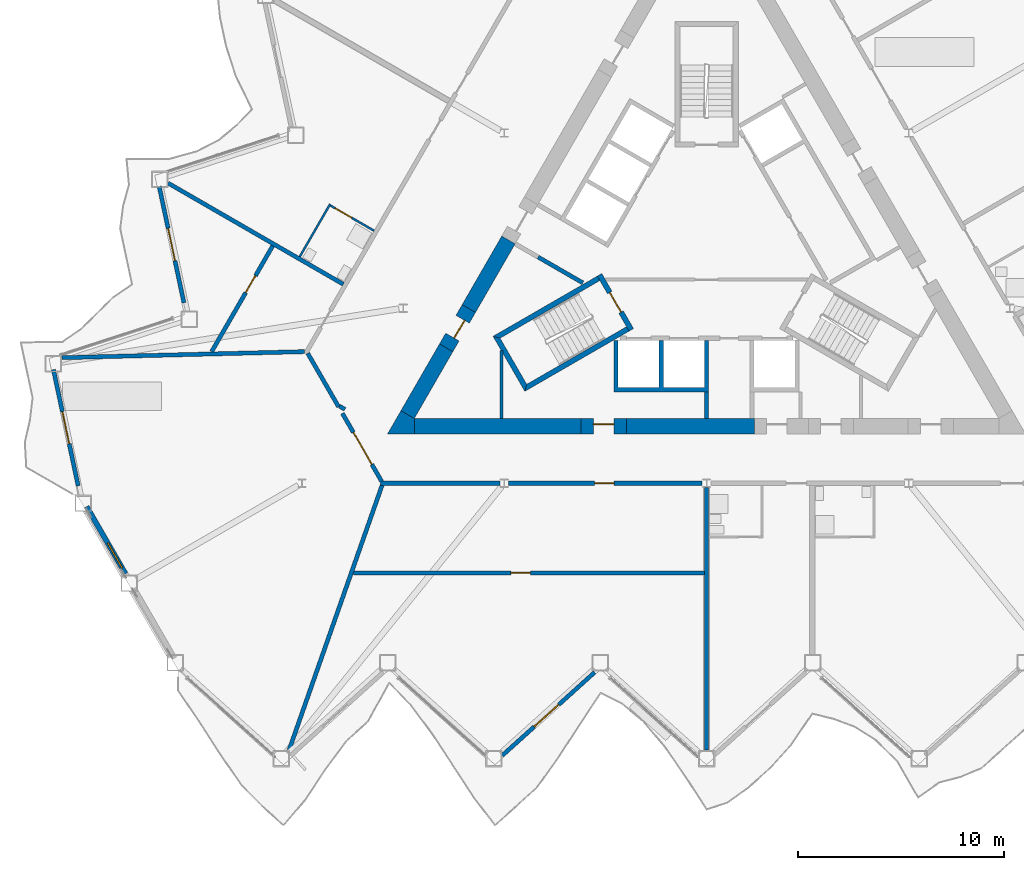
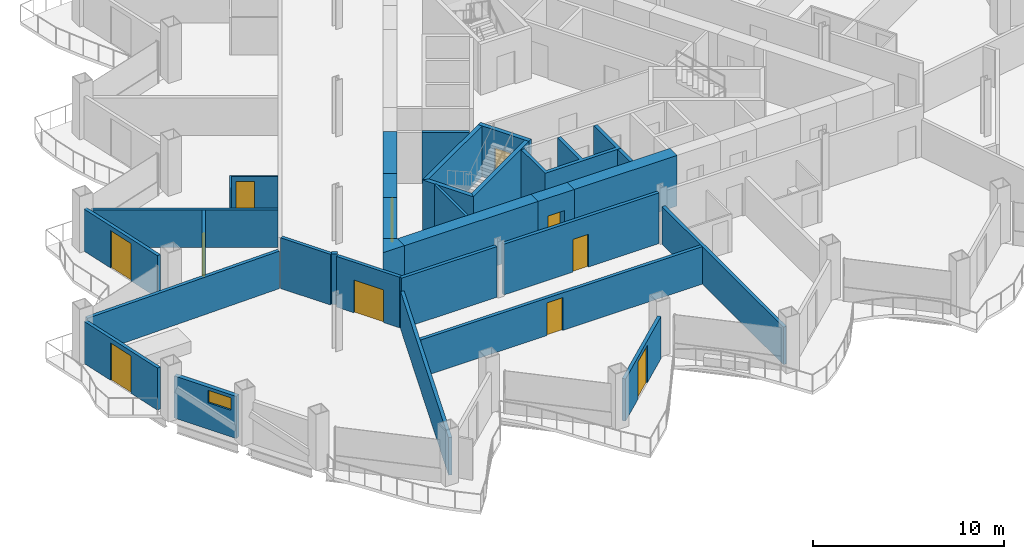
# One storey, part 10 of 22: 32 walls, 11 doors, 1 window, 12 openings.
"""IFC4 building model written with IfcOpenShell, lengths in metres."""

from ifc_helpers import new_model, si_unit, direction, frame, frame_2d, origin, place, context, subcontext, project, spatial, polyline, rectangle, outline, extrude, material, layer, layer_set, type_object, element, fill, save


model = new_model("IFC4")

# Units and contexts
model_context = context("Model", 3, precision=1e-05, world=origin(), true_north=direction((0.0, 1.0)))
body_context = subcontext(model_context, "Body", "Model", "MODEL_VIEW")
ifc_project = project(units=[si_unit("LENGTHUNIT", "METRE"), si_unit("AREAUNIT", "SQUARE_METRE"), si_unit("VOLUMEUNIT", "CUBIC_METRE"), si_unit("PLANEANGLEUNIT", "RADIAN"), si_unit("MASSUNIT", "GRAM", prefix="KILO")], contexts=[model_context])

# Site, building, storey
site_placement = place(None, origin())
site = spatial("IfcSite", under=ifc_project, at=site_placement, CompositionType="ELEMENT")
building_placement = place(site_placement, origin())
building = spatial("IfcBuilding", under=site, at=building_placement, Name="Cormorant Prow Tower", CompositionType="ELEMENT")
storey_placement = place(building_placement, frame((0.0, 0.0, 190.800048828125)))
storey = spatial("IfcBuildingStorey", under=building, at=storey_placement, Name="L41", CompositionType="ELEMENT", Elevation=190.800048828125)

# Walls
ifc_material_1 = material(Name="Gypsum board partition")
ifc_layer_1 = layer(ifc_material_1, 0.14990234375)
ifc_layer_set_1 = layer_set([ifc_layer_1], Name="Gypsum board partition")
wall_type_1 = type_object("IfcWallType", Name="Core partition 150", PredefinedType="PARTITIONING", material=ifc_layer_set_1)
wall_1_placement = place(storey_placement, frame((-9.970703125, -8.198974609375, 0.0), z_axis=(0.0, 0.0, 1.0), x_axis=(0.0, 1.0, 0.0)))
element("IfcWall", 1, at=wall_1_placement, inside=storey, type_object=wall_type_1, Name="Service room partition", PredefinedType="PARTITIONING", context=body_context, shape_type="SweptSolid", body=[
    extrude(rectangle(XDim=3.304931640625, YDim=0.14990234375, at=frame_2d((1.65234375, 0.0))), origin(), (0.0, 0.0, 1.0), 3.25),
])
ifc_material_2 = material(Name="Concrete 8000 psi", Category="concrete")
ifc_layer_2 = layer(ifc_material_2, 0.75)
ifc_layer_set_2 = layer_set([ifc_layer_2], Name="Concrete 8000 psi")
wall_type_2 = type_object("IfcWallType", Name="Core shear wall 750", PredefinedType="SHEAR", material=ifc_layer_set_2)
wall_2_placement = place(storey_placement, frame((-14.200927734375, -8.573974609375, 0.0), z_axis=(0.0, 0.0, 1.0), x_axis=(1.0, 0.0, 0.0)))
element("IfcWall", 2, at=wall_2_placement, inside=storey, type_object=wall_type_2, Name="Core wall", PredefinedType="SHEAR", context=body_context, shape_type="SweptSolid", body=[
    extrude(rectangle(XDim=8.10302734375, YDim=0.75, at=frame_2d((4.051513671875, 0.0))), origin(), (0.0, 0.0, 1.0), 3.25),
])
wall_3_placement = place(storey_placement, frame((-3.897705078125, -8.573974609375, 0.0), z_axis=(0.0, 0.0, 1.0), x_axis=(1.0, 0.0, 0.0)))
element("IfcWall", 3, at=wall_3_placement, inside=storey, type_object=wall_type_2, Name="Core wall", PredefinedType="SHEAR", context=body_context, shape_type="SweptSolid", body=[
    extrude(rectangle(XDim=6.2177734375, YDim=0.75, at=frame_2d((3.10888671875, 0.0))), origin(), (0.0, 0.0, 1.0), 3.25),
])
wall_4_placement = place(storey_placement, frame((-9.625244140625, 0.4765625, 0.0), z_axis=(0.0, 0.0, 1.0), x_axis=(-0.499951145694, -0.866053607994, 0.0)))
element("IfcWall", 4, at=wall_4_placement, inside=storey, type_object=wall_type_2, Name="Core wall", PredefinedType="SHEAR", context=body_context, shape_type="SweptSolid", body=[
    extrude(rectangle(XDim=3.8505859375, YDim=0.75, at=frame_2d((1.92529296875, 0.0))), origin(), (0.0, 0.0, 1.0), 3.25),
])
wall_5_placement = place(storey_placement, frame((-12.650390625, -4.763427734375, 0.0), z_axis=(0.0, 0.0, 1.0), x_axis=(-0.499996681051, -0.866027319972, 0.0)))
element("IfcWall", 5, at=wall_5_placement, inside=storey, type_object=wall_type_2, Name="Core wall", PredefinedType="SHEAR", context=body_context, shape_type="SweptSolid", body=[
    extrude(rectangle(XDim=3.75048828125, YDim=0.75, at=frame_2d((1.875244140625, 0.0))), origin(), (0.0, 0.0, 1.0), 3.25),
])
wall_6_placement = place(storey_placement, origin())
element("IfcWall", 6, at=wall_6_placement, inside=storey, type_object=wall_type_2, Name="Core wall corner", PredefinedType="SHEAR", context=body_context, shape_type="SweptSolid", body=[
    extrude(outline(polyline([(-14.8505859375, -7.823974609375), (-14.200927734375, -8.198974609375), (-14.200927734375, -8.948974609375), (-15.5, -8.948974609375), (-14.8505859375, -7.823974609375)])), origin(), (0.0, 0.0, 1.0), 3.25),
])

# Wall, opening, door
wall_7_placement = place(storey_placement, frame((-6.097900390625, -8.573974609375, 0.0), z_axis=(0.0, 0.0, 1.0), x_axis=(1.0, 0.0, 0.0)))
wall_7 = element("IfcWall", 7, at=wall_7_placement, inside=storey, type_object=wall_type_2, Name="Core wall door panel", PredefinedType="SHEAR", context=body_context, shape_type="SweptSolid", body=[
    extrude(rectangle(XDim=2.2001953125, YDim=0.75, at=frame_2d((1.10009765625, 0.0))), origin(), (0.0, 0.0, 1.0), 3.25),
])
opening_1_placement = place(wall_7_placement, frame((0.60009765625, 0.0, 0.0)))
opening_1 = element("IfcOpeningElement", 8, at=opening_1_placement, cuts=wall_7, Name="Opening L41-C14", PredefinedType="OPENING", context=body_context, shape_type="SweptSolid", body=[
    extrude(rectangle(XDim=1.0, YDim=2.10009765625, at=frame_2d((0.5, 1.050048828125))), frame((0.0, 0.385009765625, 0.0), z_axis=(0.0, -1.0, 0.0), x_axis=(1.0, 0.0, 0.0)), (0.0, 0.0, 1.0), 0.77001953125),
])
ifc_material_3 = material(Name="Painted steel", Category="steel")
door_type_1 = type_object("IfcDoorType", Name="Service door 1000x2100", OperationType="NOTDEFINED", PredefinedType="DOOR", material=ifc_material_3)
door_1_placement = place(opening_1_placement, origin())
door_1 = element("IfcDoor", 9, at=door_1_placement, inside=storey, type_object=door_type_1, Name="Core door, Pantry store", OperationType="SINGLE_SWING_LEFT", OverallHeight=2.10009765625, OverallWidth=1.0, PredefinedType="DOOR", context=body_context, shape_type="SweptSolid", body=[
    extrude(rectangle(XDim=1.0, YDim=2.10009765625, at=frame_2d((0.5, 1.050048828125))), frame((0.0, 0.1298828125, 0.0), z_axis=(0.0, -1.0, 0.0), x_axis=(1.0, 0.0, 0.0)), (0.0, 0.0, 1.0), 0.050048828125),
])
fill(opening_1, door_1)

wall_8_placement = place(storey_placement, frame((-11.550537109375, -2.858154296875, 0.0), z_axis=(0.0, 0.0, 1.0), x_axis=(-0.499946605688, -0.86605622881, 0.0)))
wall_8 = element("IfcWall", 10, at=wall_8_placement, inside=storey, type_object=wall_type_2, Name="Core wall door panel", PredefinedType="SHEAR", context=body_context, shape_type="SweptSolid", body=[
    extrude(rectangle(XDim=2.199951171875, YDim=0.75, at=frame_2d((1.10009765625, 0.0))), origin(), (0.0, 0.0, 1.0), 3.25),
])
opening_2_placement = place(wall_8_placement, frame((0.60009765625, 0.0, 0.0)))
opening_2 = element("IfcOpeningElement", 11, at=opening_2_placement, cuts=wall_8, Name="Opening L41-C17", PredefinedType="OPENING", context=body_context, shape_type="SweptSolid", body=[
    extrude(rectangle(XDim=1.0, YDim=2.10009765625, at=frame_2d((0.5, 1.050048828125))), frame((0.0, 0.385009765625, 0.0), z_axis=(0.0, -1.0, 0.0), x_axis=(1.0, 0.0, 0.0)), (0.0, 0.0, 1.0), 0.77001953125),
])
door_2_placement = place(opening_2_placement, origin())
door_2 = element("IfcDoor", 12, at=door_2_placement, inside=storey, type_object=door_type_1, Name="Core door, Telecom room", OperationType="SINGLE_SWING_LEFT", OverallHeight=2.10009765625, OverallWidth=1.0, PredefinedType="DOOR", context=body_context, shape_type="SweptSolid", body=[
    extrude(rectangle(XDim=1.0, YDim=2.10009765625, at=frame_2d((0.5, 1.050048828125))), frame((0.0, 0.1298828125, 0.0), z_axis=(0.0, -1.0, 0.0), x_axis=(1.0, 0.0, 0.0)), (0.0, 0.0, 1.0), 0.050048828125),
])
fill(opening_2, door_2)

ifc_material_4 = material(Name="Gypsum board corridor wall")
ifc_layer_3 = layer(ifc_material_4, 0.199951171875)
ifc_layer_set_3 = layer_set([ifc_layer_3], Name="Gypsum board corridor wall")
wall_type_3 = type_object("IfcWallType", Name="Corridor wall 200", PredefinedType="PARTITIONING", material=ifc_layer_set_3)
wall_9_placement = place(storey_placement, frame((-9.61474609375, -11.348876953125, 0.0), z_axis=(0.0, 0.0, 1.0), x_axis=(1.0, 0.0, 0.0)))
wall_9 = element("IfcWall", 13, at=wall_9_placement, inside=storey, type_object=wall_type_3, Name="Corridor wall", PredefinedType="PARTITIONING", context=body_context, shape_type="SweptSolid", body=[
    extrude(rectangle(XDim=9.401123046875, YDim=0.199951171875, at=frame_2d((4.70068359375, 0.0))), origin(), (0.0, 0.0, 1.0), 3.25),
])
opening_3_placement = place(wall_9_placement, frame((4.17529296875, 0.0, 0.0)))
opening_3 = element("IfcOpeningElement", 14, at=opening_3_placement, cuts=wall_9, Name="Opening L41-F01", PredefinedType="OPENING", context=body_context, shape_type="SweptSolid", body=[
    extrude(rectangle(XDim=0.949951171875, YDim=2.10009765625, at=frame_2d((0.47509765625, 1.050048828125))), frame((0.0, 0.10986328125, 0.0), z_axis=(0.0, -1.0, 0.0), x_axis=(1.0, 0.0, 0.0)), (0.0, 0.0, 1.0), 0.219970703125),
])
ifc_material_5 = material(Name="Timber door leaf", Category="wood")
door_type_2 = type_object("IfcDoorType", Name="Store door 950x2100", OperationType="NOTDEFINED", PredefinedType="DOOR", material=ifc_material_5)
door_3_placement = place(opening_3_placement, origin())
door_3 = element("IfcDoor", 15, at=door_3_placement, inside=storey, type_object=door_type_2, Name="Housekeeping room door", OperationType="SINGLE_SWING_RIGHT", OverallHeight=2.10009765625, OverallWidth=0.949951171875, PredefinedType="DOOR", context=body_context, shape_type="SweptSolid", body=[
    extrude(rectangle(XDim=0.949951171875, YDim=2.10009765625, at=frame_2d((0.47509765625, 1.050048828125))), frame((0.0, 0.02490234375, 0.0), z_axis=(0.0, -1.0, 0.0), x_axis=(1.0, 0.0, 0.0)), (0.0, 0.0, 1.0), 0.050048828125),
])
fill(opening_3, door_3)

# Wall
wall_10_placement = place(storey_placement, frame((-15.830810546875, -11.348876953125, 0.0), z_axis=(0.0, 0.0, 1.0), x_axis=(1.0, 0.0, 0.0)))
element("IfcWall", 16, at=wall_10_placement, inside=storey, type_object=wall_type_3, Name="Corridor wall", PredefinedType="PARTITIONING", context=body_context, shape_type="SweptSolid", body=[
    extrude(rectangle(XDim=5.78857421875, YDim=0.199951171875, at=frame_2d((2.894287109375, 0.0))), origin(), (0.0, 0.0, 1.0), 3.25),
])

# Wall, opening, door
wall_11_placement = place(storey_placement, frame((-17.69384765625, -7.948974609375, 0.0), z_axis=(0.0, 0.0, 1.0), x_axis=(0.499989446428, -0.866031496806, 0.0)))
wall_11 = element("IfcWall", 17, at=wall_11_placement, inside=storey, type_object=wall_type_3, Name="Corridor wall", PredefinedType="PARTITIONING", context=body_context, shape_type="SweptSolid", body=[
    extrude(rectangle(XDim=3.82568359375, YDim=0.199951171875, at=frame_2d((1.912841796875, 0.0))), origin(), (0.0, 0.0, 1.0), 3.25),
])
opening_4_placement = place(wall_11_placement, frame((1.06396484375, 0.0, 0.0)))
opening_4 = element("IfcOpeningElement", 18, at=opening_4_placement, cuts=wall_11, Name="Opening L41-F28", PredefinedType="OPENING", context=body_context, shape_type="SweptSolid", body=[
    extrude(rectangle(XDim=1.800048828125, YDim=2.10009765625, at=frame_2d((0.89990234375, 1.050048828125))), frame((0.0, 0.10986328125, 0.0), z_axis=(0.0, -1.0, 0.0), x_axis=(1.0, 0.0, 0.0)), (0.0, 0.0, 1.0), 0.219970703125),
])
ifc_material_6 = material(Name="Timber door leaf", Category="wood")
door_type_3 = type_object("IfcDoorType", Name="Double door 1800x2100", OperationType="DOUBLE_DOOR_SINGLE_SWING", PredefinedType="DOOR", material=ifc_material_6)
door_4_placement = place(opening_4_placement, origin())
door_4 = element("IfcDoor", 19, at=door_4_placement, inside=storey, type_object=door_type_3, Name="Co-working space door", OperationType="DOUBLE_DOOR_SINGLE_SWING", OverallHeight=2.10009765625, OverallWidth=1.800048828125, PredefinedType="DOOR", context=body_context, shape_type="SweptSolid", body=[
    extrude(rectangle(XDim=1.800048828125, YDim=2.10009765625, at=frame_2d((0.89990234375, 1.050048828125))), frame((0.0, 0.02490234375, 0.0), z_axis=(0.0, -1.0, 0.0), x_axis=(1.0, 0.0, 0.0)), (0.0, 0.0, 1.0), 0.050048828125),
])
fill(opening_4, door_4)

# Walls
wall_12_placement = place(storey_placement, frame((-19.3759765625, -5.035400390625, 0.0), z_axis=(0.0, 0.0, 1.0), x_axis=(0.499952404951, -0.866052881055, 0.0)))
element("IfcWall", 20, at=wall_12_placement, inside=storey, type_object=wall_type_3, Name="Corridor wall", PredefinedType="PARTITIONING", context=body_context, shape_type="SweptSolid", body=[
    extrude(rectangle(XDim=3.002197265625, YDim=0.199951171875, at=frame_2d((1.5009765625, 0.0))), origin(), (0.0, 0.0, 1.0), 3.25),
])
wall_13_placement = place(storey_placement, frame((-17.83837890625, -7.598876953125, 0.0), z_axis=(0.0, 0.0, 1.0), x_axis=(0.866054481515, -0.499949632511, 0.0)))
element("IfcWall", 21, at=wall_13_placement, inside=storey, type_object=wall_type_3, Name="Corridor wall", PredefinedType="PARTITIONING", context=body_context, shape_type="SweptSolid", body=[
    extrude(rectangle(XDim=0.31005859375, YDim=0.199951171875, at=frame_2d((0.155029296875, 0.0))), origin(), (0.0, 0.0, 1.0), 3.25),
])

# Wall, opening, door
ifc_material_7 = material(Name="Gypsum board demising wall")
ifc_layer_4 = layer(ifc_material_7, 0.199951171875)
ifc_layer_set_4 = layer_set([ifc_layer_4], Name="Gypsum board demising wall")
wall_type_4 = type_object("IfcWallType", Name="Demising wall 200", PredefinedType="PARTITIONING", material=ifc_layer_set_4)
wall_14_placement = place(storey_placement, frame((-17.1591796875, -15.698974609375, 0.0), z_axis=(0.0, 0.0, 1.0), x_axis=(1.0, 0.0, 0.0)))
wall_14 = element("IfcWall", 22, at=wall_14_placement, inside=storey, type_object=wall_type_4, Name="Demising wall", PredefinedType="PARTITIONING", context=body_context, shape_type="SweptSolid", body=[
    extrude(rectangle(XDim=17.05908203125, YDim=0.199951171875, at=frame_2d((8.529541015625, 0.0))), origin(), (0.0, 0.0, 1.0), 2.404052734375),
])
opening_5_placement = place(wall_14_placement, frame((7.654541015625, 0.0, 0.0)))
opening_5 = element("IfcOpeningElement", 23, at=opening_5_placement, cuts=wall_14, Name="Opening L41-F02", PredefinedType="OPENING", context=body_context, shape_type="SweptSolid", body=[
    extrude(rectangle(XDim=0.949951171875, YDim=2.10009765625, at=frame_2d((0.47509765625, 1.050048828125))), frame((0.0, 0.10986328125, 0.0), z_axis=(0.0, -1.0, 0.0), x_axis=(1.0, 0.0, 0.0)), (0.0, 0.0, 1.0), 0.219970703125),
])
door_5_placement = place(opening_5_placement, origin())
door_5 = element("IfcDoor", 24, at=door_5_placement, inside=storey, type_object=door_type_2, Name="Linen store door", OperationType="SINGLE_SWING_RIGHT", OverallHeight=2.10009765625, OverallWidth=0.949951171875, PredefinedType="DOOR", context=body_context, shape_type="SweptSolid", body=[
    extrude(rectangle(XDim=0.949951171875, YDim=2.10009765625, at=frame_2d((0.47509765625, 1.050048828125))), frame((0.0, 0.02490234375, 0.0), z_axis=(0.0, -1.0, 0.0), x_axis=(1.0, 0.0, 0.0)), (0.0, 0.0, 1.0), 0.050048828125),
])
fill(opening_5, door_5)

# Walls
wall_15_placement = place(storey_placement, frame((-20.28564453125, -24.3115234375, 0.0), z_axis=(0.0, 0.0, 1.0), x_axis=(0.331517429591, 0.943449094481, 0.0)))
element("IfcWall", 25, at=wall_15_placement, inside=storey, type_object=wall_type_4, Name="Demising wall", PredefinedType="PARTITIONING", context=body_context, shape_type="SweptSolid", body=[
    extrude(rectangle(XDim=13.639404296875, YDim=0.199951171875, at=frame_2d((6.81982421875, 0.0))), origin(), (0.0, 0.0, 1.0), 2.404052734375),
])
wall_16_placement = place(storey_placement, frame((0.0, -24.3115234375, 0.0), z_axis=(0.0, 0.0, 1.0), x_axis=(0.0, 1.0, 0.0)))
element("IfcWall", 26, at=wall_16_placement, inside=storey, type_object=wall_type_4, Name="Demising wall", PredefinedType="PARTITIONING", context=body_context, shape_type="SweptSolid", body=[
    extrude(rectangle(XDim=12.7490234375, YDim=0.199951171875, at=frame_2d((6.37451171875, 0.0))), origin(), (0.0, 0.0, 1.0), 2.404052734375),
])
wall_17_placement = place(storey_placement, frame((-31.3291015625, -5.245849609375, 0.0), z_axis=(0.0, 0.0, 1.0), x_axis=(0.999689013957, 0.024937429174, 0.0)))
element("IfcWall", 27, at=wall_17_placement, inside=storey, type_object=wall_type_4, Name="Demising wall", PredefinedType="PARTITIONING", context=body_context, shape_type="SweptSolid", body=[
    extrude(rectangle(XDim=11.806884765625, YDim=0.199951171875, at=frame_2d((5.9033203125, 0.0))), origin(), (0.0, 0.0, 1.0), 2.404052734375),
])
wall_18_placement = place(storey_placement, frame((-26.164306640625, 3.239013671875, 0.0), z_axis=(0.0, 0.0, 1.0), x_axis=(0.866025932773, -0.499999083763, 0.0)))
element("IfcWall", 28, at=wall_18_placement, inside=storey, type_object=wall_type_4, Name="Demising wall", PredefinedType="PARTITIONING", context=body_context, shape_type="SweptSolid", body=[
    extrude(rectangle(XDim=9.82958984375, YDim=0.199951171875, at=frame_2d((4.914794921875, 0.0))), origin(), (0.0, 0.0, 1.0), 2.404052734375),
])

# Wall, opening, door
wall_19_placement = place(storey_placement, frame((-24.044921875, -4.948974609375, 0.0), z_axis=(0.0, 0.0, 1.0), x_axis=(0.500016988964, 0.866015594979, 0.0)))
wall_19 = element("IfcWall", 29, at=wall_19_placement, inside=storey, type_object=wall_type_4, Name="Demising wall", PredefinedType="PARTITIONING", context=body_context, shape_type="SweptSolid", body=[
    extrude(rectangle(XDim=5.931396484375, YDim=0.199951171875, at=frame_2d((2.9658203125, 0.0))), origin(), (0.0, 0.0, 1.0), 2.404052734375),
])
opening_6_placement = place(wall_19_placement, frame((3.305419921875, 0.0, 0.0)))
opening_6 = element("IfcOpeningElement", 30, at=opening_6_placement, cuts=wall_19, Name="Opening L41-F27", PredefinedType="OPENING", context=body_context, shape_type="SweptSolid", body=[
    extrude(rectangle(XDim=0.949951171875, YDim=2.10009765625, at=frame_2d((0.47509765625, 1.050048828125))), frame((0.0, 0.10986328125, 0.0), z_axis=(0.0, -1.0, 0.0), x_axis=(1.0, 0.0, 0.0)), (0.0, 0.0, 1.0), 0.219970703125),
])
door_6_placement = place(opening_6_placement, origin())
door_6 = element("IfcDoor", 31, at=door_6_placement, inside=storey, type_object=door_type_2, Name="Service store door", OperationType="SINGLE_SWING_LEFT", OverallHeight=2.10009765625, OverallWidth=0.949951171875, PredefinedType="DOOR", context=body_context, shape_type="SweptSolid", body=[
    extrude(rectangle(XDim=0.949951171875, YDim=2.10009765625, at=frame_2d((0.47509765625, 1.050048828125))), frame((0.0, 0.02490234375, 0.0), z_axis=(0.0, -1.0, 0.0), x_axis=(1.0, 0.0, 0.0)), (0.0, 0.0, 1.0), 0.050048828125),
])
fill(opening_6, door_6)

# Wall
ifc_material_8 = material(Name="Gypsum board partition")
ifc_layer_5 = layer(ifc_material_8, 0.10009765625)
ifc_layer_set_5 = layer_set([ifc_layer_5], Name="Gypsum board partition")
wall_type_5 = type_object("IfcWallType", Name="Internal partition 100", PredefinedType="PARTITIONING", material=ifc_layer_set_5)
wall_20_placement = place(storey_placement, frame((-19.7666015625, -0.339111328125, 0.0), z_axis=(0.0, 0.0, 1.0), x_axis=(0.499939757307, 0.866060182126, 0.0)))
element("IfcWall", 32, at=wall_20_placement, inside=storey, type_object=wall_type_5, Name="Internal partition", PredefinedType="PARTITIONING", context=body_context, shape_type="SweptSolid", body=[
    extrude(rectangle(XDim=2.949951171875, YDim=0.10009765625, at=frame_2d((1.47509765625, 0.0))), origin(), (0.0, 0.0, 1.0), 2.404052734375),
])

# Wall, opening, door
wall_21_placement = place(storey_placement, frame((-18.2734375, 2.1474609375, 0.0), z_axis=(0.0, 0.0, 1.0), x_axis=(0.866014668023, -0.500018594424, 0.0)))
wall_21 = element("IfcWall", 33, at=wall_21_placement, inside=storey, type_object=wall_type_5, Name="Internal partition", PredefinedType="PARTITIONING", context=body_context, shape_type="SweptSolid", body=[
    extrude(rectangle(XDim=2.4501953125, YDim=0.10009765625, at=frame_2d((1.22509765625, 0.0))), origin(), (0.0, 0.0, 1.0), 2.404052734375),
])
opening_7_placement = place(wall_21_placement, frame((0.25, 0.0, 0.0)))
opening_7 = element("IfcOpeningElement", 34, at=opening_7_placement, cuts=wall_21, Name="Opening L41-F25", PredefinedType="OPENING", context=body_context, shape_type="SweptSolid", body=[
    extrude(rectangle(XDim=0.949951171875, YDim=2.10009765625, at=frame_2d((0.47509765625, 1.050048828125))), frame((0.0, 0.06005859375, 0.0), z_axis=(0.0, -1.0, 0.0), x_axis=(1.0, 0.0, 0.0)), (0.0, 0.0, 1.0), 0.1201171875),
])
ifc_material_9 = material(Name="Timber door leaf", Category="wood")
door_type_4 = type_object("IfcDoorType", Name="Bathroom door 950x2100", OperationType="NOTDEFINED", PredefinedType="DOOR", material=ifc_material_9)
door_7_placement = place(opening_7_placement, origin())
door_7 = element("IfcDoor", 35, at=door_7_placement, inside=storey, type_object=door_type_4, Name="Junior suite door", OperationType="SINGLE_SWING_LEFT", OverallHeight=2.10009765625, OverallWidth=0.949951171875, PredefinedType="DOOR", context=body_context, shape_type="SweptSolid", body=[
    extrude(rectangle(XDim=0.949951171875, YDim=2.10009765625, at=frame_2d((0.47509765625, 1.050048828125))), frame((0.0, 0.02490234375, 0.0), z_axis=(0.0, -1.0, 0.0), x_axis=(1.0, 0.0, 0.0)), (0.0, 0.0, 1.0), 0.050048828125),
])
fill(opening_7, door_7)

# Walls
ifc_material_10 = material(Name="Concrete 8000 psi", Category="concrete")
ifc_layer_6 = layer(ifc_material_10, 0.199951171875)
ifc_layer_set_6 = layer_set([ifc_layer_6], Name="Concrete 8000 psi")
wall_type_6 = type_object("IfcWallType", Name="Lift shaft wall 200", PredefinedType="SHEAR", material=ifc_layer_set_6)
wall_22_placement = place(storey_placement, origin())
element("IfcWall", 36, at=wall_22_placement, inside=storey, type_object=wall_type_6, Name="Lift shaft walls, S block", PredefinedType="SHEAR", context=body_context, shape_type="SweptSolid", body=[
    extrude(outline(polyline([(0.10009765625, -4.39990234375), (0.10009765625, -6.906005859375), (-4.5, -6.906005859375), (-4.5, -4.39990234375), (-4.300048828125, -4.39990234375), (-4.300048828125, -6.699951171875), (-2.300048828125, -6.699951171875), (-2.300048828125, -4.39990234375), (-2.10009765625, -4.39990234375), (-2.10009765625, -6.699951171875), (-0.10009765625, -6.699951171875), (-0.10009765625, -4.39990234375), (0.10009765625, -4.39990234375)])), origin(), (0.0, 0.0, 1.0), 3.25),
])
wall_23_placement = place(storey_placement, frame((0.0, -6.906005859375, 0.0), z_axis=(0.0, 0.0, 1.0), x_axis=(0.0, -1.0, 0.0)))
element("IfcWall", 37, at=wall_23_placement, inside=storey, type_object=wall_type_6, Name="Store side wall", PredefinedType="SHEAR", context=body_context, shape_type="SweptSolid", body=[
    extrude(rectangle(XDim=1.29296875, YDim=0.199951171875, at=frame_2d((0.646484375, 0.0))), origin(), (0.0, 0.0, 1.0), 3.25),
])
wall_24_placement = place(storey_placement, origin())
element("IfcWall", 38, at=wall_24_placement, inside=storey, type_object=wall_type_6, Name="Lift shaft walls, WNW block", PredefinedType="SHEAR", context=body_context, shape_type="SweptSolid", body=[
    extrude(outline(polyline([(-6.060546875, -1.697021484375), (-8.230712890625, -0.444091796875), (-8.130859375, -0.27099609375), (-5.96044921875, -1.52392578125), (-6.060546875, -1.697021484375)])), origin(), (0.0, 0.0, 1.0), 3.25),
])
ifc_material_11 = material(Name="Concrete 8000 psi", Category="concrete")
ifc_layer_7 = layer(ifc_material_11, 0.25)
ifc_layer_set_7 = layer_set([ifc_layer_7], Name="Concrete 8000 psi")
wall_type_7 = type_object("IfcWallType", Name="Stair wall 250", PredefinedType="SHEAR", material=ifc_layer_set_7)
wall_25_placement = place(storey_placement, origin())
element("IfcWall", 39, at=wall_25_placement, inside=storey, type_object=wall_type_7, Name="Stair ST1 enclosure wall (flank)", PredefinedType="SHEAR", context=body_context, shape_type="SweptSolid", body=[
    extrude(outline(polyline([(-5.30712890625, -1.28125), (-10.37353515625, -4.206298828125), (-10.031982421875, -4.2978515625), (-5.18212890625, -1.497802734375), (-5.30712890625, -1.28125)])), origin(), (0.0, 0.0, 1.0), 3.25),
])
wall_26_placement = place(storey_placement, origin())
element("IfcWall", 40, at=wall_26_placement, inside=storey, type_object=wall_type_7, Name="Stair ST1 enclosure wall (end)", PredefinedType="SHEAR", context=body_context, shape_type="SweptSolid", body=[
    extrude(outline(polyline([(-10.37353515625, -4.206298828125), (-8.82958984375, -6.880615234375), (-8.738037109375, -6.5390625), (-10.031982421875, -4.2978515625), (-10.37353515625, -4.206298828125)])), origin(), (0.0, 0.0, 1.0), 3.25),
])
wall_27_placement = place(storey_placement, origin())
element("IfcWall", 41, at=wall_27_placement, inside=storey, type_object=wall_type_7, Name="Stair ST1 enclosure wall (flank)", PredefinedType="SHEAR", context=body_context, shape_type="SweptSolid", body=[
    extrude(outline(polyline([(-8.738037109375, -6.5390625), (-8.82958984375, -6.880615234375), (-3.76318359375, -3.95556640625), (-3.88818359375, -3.739013671875), (-8.738037109375, -6.5390625)])), origin(), (0.0, 0.0, 1.0), 3.25),
])

# Wall, opening, door
wall_28_placement = place(storey_placement, frame((-5.198974609375, -1.21875, 0.0), z_axis=(0.0, 0.0, 1.0), x_axis=(0.499982516597, -0.866035497597, 0.0)))
wall_28 = element("IfcWall", 42, at=wall_28_placement, inside=storey, type_object=wall_type_7, Name="Stair ST1 door wall", PredefinedType="SHEAR", context=body_context, shape_type="SweptSolid", body=[
    extrude(rectangle(XDim=3.087890625, YDim=0.25, at=frame_2d((1.5439453125, 0.0))), origin(), (0.0, 0.0, 1.0), 3.25),
])
opening_8_placement = place(wall_28_placement, frame((0.993896484375, 0.0, 0.0)))
opening_8 = element("IfcOpeningElement", 43, at=opening_8_placement, cuts=wall_28, Name="Opening L41-C10", PredefinedType="OPENING", context=body_context, shape_type="SweptSolid", body=[
    extrude(rectangle(XDim=1.10009765625, YDim=2.10009765625, at=frame_2d((0.550048828125, 1.050048828125))), frame((0.0, 0.135009765625, 0.0), z_axis=(0.0, -1.0, 0.0), x_axis=(1.0, 0.0, 0.0)), (0.0, 0.0, 1.0), 0.27001953125),
])
ifc_material_12 = material(Name="Painted steel", Category="steel")
door_type_5 = type_object("IfcDoorType", Name="Stair door 1100x2100", OperationType="NOTDEFINED", PredefinedType="DOOR", material=ifc_material_12)
door_8_placement = place(opening_8_placement, origin())
door_8 = element("IfcDoor", 44, at=door_8_placement, inside=storey, type_object=door_type_5, Name="Stair ST1 door", OperationType="SINGLE_SWING_LEFT", OverallHeight=2.10009765625, OverallWidth=1.10009765625, PredefinedType="DOOR", context=body_context, shape_type="SweptSolid", body=[
    extrude(rectangle(XDim=1.10009765625, YDim=2.10009765625, at=frame_2d((0.550048828125, 1.050048828125))), frame((0.0, 0.02490234375, 0.0), z_axis=(0.0, -1.0, 0.0), x_axis=(1.0, 0.0, 0.0)), (0.0, 0.0, 1.0), 0.050048828125),
])
fill(opening_8, door_8)

# Wall, opening, window
ifc_material_13 = material(Name="Terracotta", Category="masonry")
ifc_layer_8 = layer(ifc_material_13, 0.25)
ifc_layer_set_8 = layer_set([ifc_layer_8], Name="Terracotta")
wall_type_8 = type_object("IfcWallType", Name="Terracotta bay wall 250", PredefinedType="SOLIDWALL", material=ifc_layer_set_8)
wall_29_placement = place(storey_placement, frame((-30.1201171875, -12.48046875, 0.0), z_axis=(0.0, 0.0, 1.0), x_axis=(0.500034075199, -0.866005729565, 0.0)))
wall_29 = element("IfcWall", 45, at=wall_29_placement, inside=storey, type_object=wall_type_8, Name="Terracotta bay wall WSW00", PredefinedType="SOLIDWALL", context=body_context, shape_type="SweptSolid", body=[
    extrude(rectangle(XDim=3.775146484375, YDim=0.25, at=frame_2d((1.8876953125, 0.0))), origin(), (0.0, 0.0, 1.0), 2.700927734375),
])
opening_9_placement = place(wall_29_placement, frame((2.050048828125, 0.0, 1.699951171875)))
opening_9 = element("IfcOpeningElement", 46, at=opening_9_placement, cuts=wall_29, Name="Opening WN3", PredefinedType="OPENING", context=body_context, shape_type="SweptSolid", body=[
    extrude(rectangle(XDim=1.39990234375, YDim=0.800048828125, at=frame_2d((0.699951171875, 0.39990234375))), frame((0.0, 0.135009765625, 0.0), z_axis=(0.0, -1.0, 0.0), x_axis=(1.0, 0.0, 0.0)), (0.0, 0.0, 1.0), 0.27001953125),
])
ifc_material_14 = material(Name="Aluminium 6063-T6", Category="aluminium")
window_type = type_object("IfcWindowType", Name="Corner bay window 1400x800", PartitioningType="SINGLE_PANEL", PredefinedType="WINDOW", material=ifc_material_14)
window_placement = place(opening_9_placement, origin())
window = element("IfcWindow", 47, at=window_placement, inside=storey, type_object=window_type, Name="Corner bay window WSW00", OverallHeight=0.800048828125, OverallWidth=1.39990234375, PartitioningType="SINGLE_PANEL", PredefinedType="WINDOW", context=body_context, shape_type="SweptSolid", body=[
    extrude(rectangle(XDim=1.39990234375, YDim=0.800048828125, at=frame_2d((0.699951171875, 0.39990234375))), frame((0.0, 0.030029296875, 0.0), z_axis=(0.0, -1.0, 0.0), x_axis=(1.0, 0.0, 0.0)), (0.0, 0.0, 1.0), 0.06005859375),
])
fill(opening_9, window)

# Wall, opening, door
ifc_material_15 = material(Name="Terracotta", Category="masonry")
ifc_layer_9 = layer(ifc_material_15, 0.199951171875)
ifc_layer_set_9 = layer_set([ifc_layer_9], Name="Terracotta")
wall_type_9 = type_object("IfcWallType", Name="Terracotta jamb wall 200", PredefinedType="SOLIDWALL", material=ifc_layer_set_9)
wall_30_placement = place(storey_placement, frame((-9.921875, -24.5712890625, 0.0), z_axis=(0.0, 0.0, 1.0), x_axis=(0.743151394339, 0.669123310827, 0.0)))
wall_30 = element("IfcWall", 48, at=wall_30_placement, inside=storey, type_object=wall_type_9, Name="Terracotta jamb wall S03", PredefinedType="SOLIDWALL", context=body_context, shape_type="SweptSolid", body=[
    extrude(rectangle(XDim=6.03857421875, YDim=0.199951171875, at=frame_2d((3.019287109375, 0.0))), origin(), (0.0, 0.0, 1.0), 2.700927734375),
])
opening_10_placement = place(wall_30_placement, frame((2.08935546875, 0.0, 0.0)))
opening_10 = element("IfcOpeningElement", 49, at=opening_10_placement, cuts=wall_30, Name="Opening ED41.02", PredefinedType="OPENING", context=body_context, shape_type="SweptSolid", body=[
    extrude(rectangle(XDim=1.60009765625, YDim=2.39990234375, at=frame_2d((0.800048828125, 1.199951171875))), frame((0.0, 0.10986328125, 0.0), z_axis=(0.0, -1.0, 0.0), x_axis=(1.0, 0.0, 0.0)), (0.0, 0.0, 1.0), 0.219970703125),
])
ifc_material_16 = material(Name="Aluminium 6063-T6", Category="aluminium")
door_type_6 = type_object("IfcDoorType", Name="Balcony door 1600x2400", OperationType="DOUBLE_DOOR_SINGLE_SWING", PredefinedType="DOOR", material=ifc_material_16)
door_9_placement = place(opening_10_placement, origin())
door_9 = element("IfcDoor", 50, at=door_9_placement, inside=storey, type_object=door_type_6, Name="Balcony door S03 ED41.02", OperationType="DOUBLE_DOOR_SINGLE_SWING", OverallHeight=2.39990234375, OverallWidth=1.60009765625, PredefinedType="DOOR", context=body_context, shape_type="SweptSolid", body=[
    extrude(rectangle(XDim=1.60009765625, YDim=2.39990234375, at=frame_2d((0.800048828125, 1.199951171875))), frame((0.0, 0.02490234375, 0.0), z_axis=(0.0, -1.0, 0.0), x_axis=(1.0, 0.0, 0.0)), (0.0, 0.0, 1.0), 0.050048828125),
])
fill(opening_10, door_9)

wall_31_placement = place(storey_placement, frame((-26.595458984375, 3.077880859375, 0.0), z_axis=(0.0, 0.0, 1.0), x_axis=(0.207907263894, -0.978148541695, 0.0)))
wall_31 = element("IfcWall", 51, at=wall_31_placement, inside=storey, type_object=wall_type_9, Name="Terracotta jamb wall WNW07", PredefinedType="SOLIDWALL", context=body_context, shape_type="SweptSolid", body=[
    extrude(rectangle(XDim=5.778564453125, YDim=0.199951171875, at=frame_2d((2.88916015625, 0.0))), origin(), (0.0, 0.0, 1.0), 2.700927734375),
])
opening_11_placement = place(wall_31_placement, frame((2.08935546875, 0.0, 0.0)))
opening_11 = element("IfcOpeningElement", 52, at=opening_11_placement, cuts=wall_31, Name="Opening ED41.14", PredefinedType="OPENING", context=body_context, shape_type="SweptSolid", body=[
    extrude(rectangle(XDim=1.60009765625, YDim=2.39990234375, at=frame_2d((0.800048828125, 1.199951171875))), frame((0.0, 0.10986328125, 0.0), z_axis=(0.0, -1.0, 0.0), x_axis=(1.0, 0.0, 0.0)), (0.0, 0.0, 1.0), 0.219970703125),
])
door_10_placement = place(opening_11_placement, origin())
door_10 = element("IfcDoor", 53, at=door_10_placement, inside=storey, type_object=door_type_6, Name="Balcony door WNW07 ED41.14", OperationType="DOUBLE_DOOR_SINGLE_SWING", OverallHeight=2.39990234375, OverallWidth=1.60009765625, PredefinedType="DOOR", context=body_context, shape_type="SweptSolid", body=[
    extrude(rectangle(XDim=1.60009765625, YDim=2.39990234375, at=frame_2d((0.800048828125, 1.199951171875))), frame((0.0, 0.02490234375, 0.0), z_axis=(0.0, -1.0, 0.0), x_axis=(1.0, 0.0, 0.0)), (0.0, 0.0, 1.0), 0.050048828125),
])
fill(opening_11, door_10)

wall_32_placement = place(storey_placement, frame((-31.734130859375, -5.822265625, 0.0), z_axis=(0.0, 0.0, 1.0), x_axis=(0.207907263894, -0.978148541695, 0.0)))
wall_32 = element("IfcWall", 54, at=wall_32_placement, inside=storey, type_object=wall_type_9, Name="Terracotta jamb wall WNW09", PredefinedType="SOLIDWALL", context=body_context, shape_type="SweptSolid", body=[
    extrude(rectangle(XDim=5.778564453125, YDim=0.199951171875, at=frame_2d((2.88916015625, 0.0))), origin(), (0.0, 0.0, 1.0), 2.700927734375),
])
opening_12_placement = place(wall_32_placement, frame((2.08935546875, 0.0, 0.0)))
opening_12 = element("IfcOpeningElement", 55, at=opening_12_placement, cuts=wall_32, Name="Opening ED41.15", PredefinedType="OPENING", context=body_context, shape_type="SweptSolid", body=[
    extrude(rectangle(XDim=1.60009765625, YDim=2.39990234375, at=frame_2d((0.800048828125, 1.199951171875))), frame((0.0, 0.10986328125, 0.0), z_axis=(0.0, -1.0, 0.0), x_axis=(1.0, 0.0, 0.0)), (0.0, 0.0, 1.0), 0.219970703125),
])
door_11_placement = place(opening_12_placement, origin())
door_11 = element("IfcDoor", 56, at=door_11_placement, inside=storey, type_object=door_type_6, Name="Balcony door WNW09 ED41.15", OperationType="DOUBLE_DOOR_SINGLE_SWING", OverallHeight=2.39990234375, OverallWidth=1.60009765625, PredefinedType="DOOR", context=body_context, shape_type="SweptSolid", body=[
    extrude(rectangle(XDim=1.60009765625, YDim=2.39990234375, at=frame_2d((0.800048828125, 1.199951171875))), frame((0.0, 0.02490234375, 0.0), z_axis=(0.0, -1.0, 0.0), x_axis=(1.0, 0.0, 0.0)), (0.0, 0.0, 1.0), 0.050048828125),
])
fill(opening_12, door_11)

save(model, "model.ifc")
